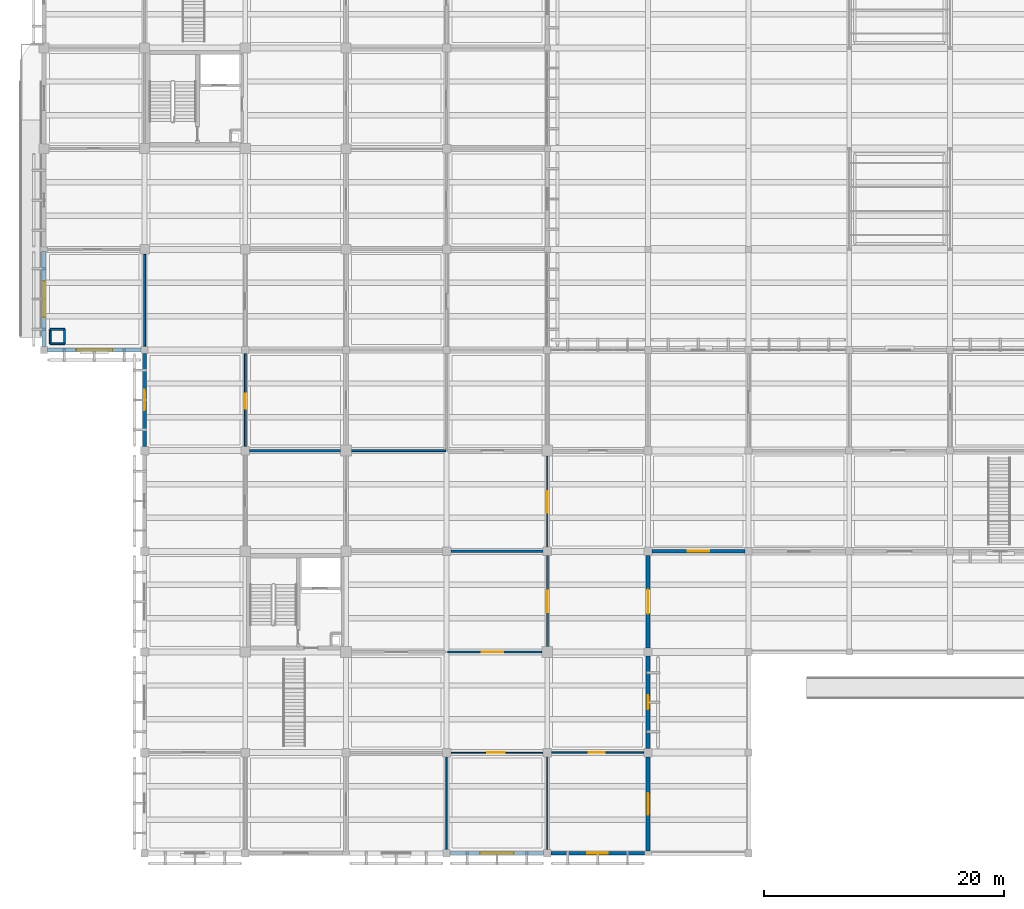
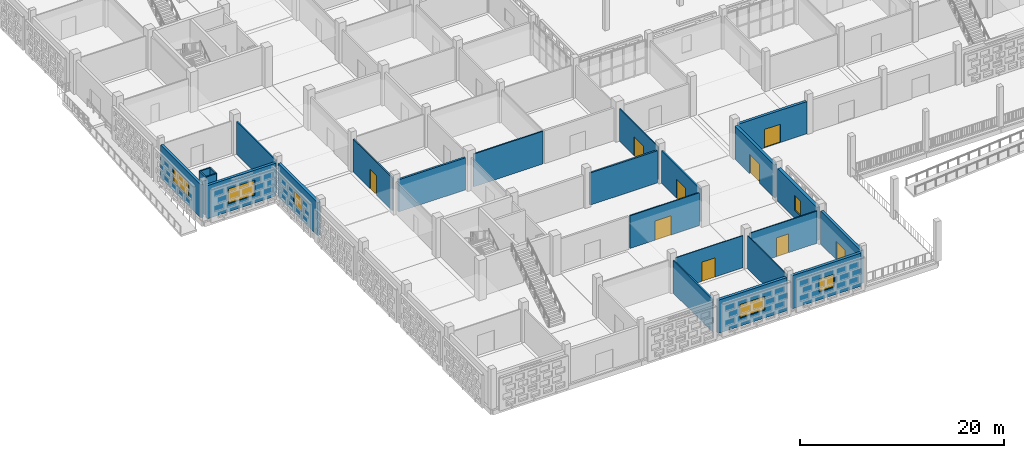
# One storey, part 58 of 129: 25 walls, 9 doors, 6 windows, 15 openings.
"""IFC4 building model written with IfcOpenShell, lengths in metres."""

from ifc_helpers import new_model, si_unit, direction, frame, frame_2d, origin, place, context, subcontext, project, spatial, rectangle, extrude, material, layer, layer_set, type_object, element, fill, save


model = new_model("IFC4")

# Units and contexts
model_context = context("Model", 3, precision=1e-05, world=origin(), true_north=direction((0.0, 1.0)))
body_context = subcontext(model_context, "Body", "Model", "MODEL_VIEW")
ifc_project = project(units=[si_unit("LENGTHUNIT", "METRE"), si_unit("AREAUNIT", "SQUARE_METRE"), si_unit("VOLUMEUNIT", "CUBIC_METRE"), si_unit("PLANEANGLEUNIT", "RADIAN"), si_unit("MASSUNIT", "GRAM", prefix="KILO")], contexts=[model_context])

# Site, building, storey
site_placement = place(None, origin())
site = spatial("IfcSite", under=ifc_project, at=site_placement, CompositionType="ELEMENT")
building_placement = place(site_placement, origin())
building = spatial("IfcBuilding", under=site, at=building_placement, Name="Varnapada Polytechnic", CompositionType="ELEMENT")
storey_placement = place(building_placement, origin())
storey = spatial("IfcBuildingStorey", under=building, at=storey_placement, Name="L00", CompositionType="ELEMENT", Elevation=0.0)

# Walls
ifc_material_1 = material(Name="Autoclaved Aerated Concrete Block AAC-600", Category="concrete")
ifc_layer_1 = layer(ifc_material_1, 0.14990234375)
ifc_layer_set_1 = layer_set([ifc_layer_1], Name="Autoclaved Aerated Concrete Block AAC-600")
wall_type_1 = type_object("IfcWallType", Name="Interior Wall IW-02", PredefinedType="PARTITIONING", material=ifc_layer_set_1)
for number, where, z_axis, x_axis, name in (
    (1, (0.52001953125, 42.52001953125, 0.0), (0.0, 0.0, 1.0), (1.0, 0.0, 0.0), "L00 enclosed service riser wall (1,6) S"),
    (2, (1.719970703125, 42.52001953125, 0.0), (0.0, 0.0, 1.0), (0.0, 1.0, 0.0), "L00 enclosed service riser wall (1,6) E"),
    (3, (1.719970703125, 43.719970703125, 0.0), (0.0, 0.0, 1.0), (-1.0, 0.0, 0.0), "L00 enclosed service riser wall (1,6) N"),
    (4, (0.52001953125, 43.719970703125, 0.0), (0.0, 0.0, 1.0), (0.0, -1.0, 0.0), "L00 enclosed service riser wall (1,6) W"),
):
    element("IfcWall", number, at=place(storey_placement, frame(where, z_axis=z_axis, x_axis=x_axis)), inside=storey, type_object=wall_type_1, Name=name, PredefinedType="PARTITIONING", context=body_context, shape_type="SweptSolid", body=[
        extrude(rectangle(XDim=1.199951171875, YDim=0.14990234375, at=frame_2d((0.60009765625, 0.0))), origin(), (0.0, 0.0, 1.0), 4.550048828125),
    ])
wall_1_placement = place(storey_placement, frame((8.39990234375, 42.320068359375, 0.0), z_axis=(0.0, 0.0, 1.0), x_axis=(0.0, 1.0, 0.0)))
element("IfcWall", 5, at=wall_1_placement, inside=storey, type_object=wall_type_1, Name="L00 interior partition IW-L00-00-05-V", PredefinedType="PARTITIONING", context=body_context, shape_type="SweptSolid", body=[
    extrude(rectangle(XDim=7.659912109375, YDim=0.14990234375, at=frame_2d((3.830078125, 0.0))), origin(), (0.0, 0.0, 1.0), 3.919921875),
])
wall_2_placement = place(storey_placement, frame((25.669921875, 33.60009765625, 0.0), z_axis=(0.0, 0.0, 1.0), x_axis=(1.0, 0.0, 0.0)))
element("IfcWall", 6, at=wall_2_placement, inside=storey, type_object=wall_type_1, Name="L00 interior partition IW-L00-03-03-H", PredefinedType="PARTITIONING", context=body_context, shape_type="SweptSolid", body=[
    extrude(rectangle(XDim=7.844970703125, YDim=0.14990234375, at=frame_2d((3.92236328125, 0.0))), origin(), (0.0, 0.0, 1.0), 3.919921875),
])

# Wall, opening, door
ifc_material_2 = material(Name="Cross-laminated timber CLT C24", Category="wood")
ifc_layer_2 = layer(ifc_material_2, 0.159912109375)
ifc_layer_set_2 = layer_set([ifc_layer_2], Name="Cross-laminated timber CLT C24")
wall_type_2 = type_object("IfcWallType", Name="Interior Wall IW-05", PredefinedType="PARTITIONING", material=ifc_layer_set_2)
wall_3_placement = place(storey_placement, frame((16.800048828125, 33.969970703125, 0.0), z_axis=(0.0, 0.0, 1.0), x_axis=(0.0, 1.0, 0.0)))
wall_3 = element("IfcWall", 7, at=wall_3_placement, inside=storey, type_object=wall_type_2, Name="L00 interior partition IW-L00-01-04-V", PredefinedType="PARTITIONING", context=body_context, shape_type="SweptSolid", body=[
    extrude(rectangle(XDim=7.7099609375, YDim=0.159912109375, at=frame_2d((3.85498046875, 0.0))), origin(), (0.0, 0.0, 1.0), 3.919921875),
])
opening_1_placement = place(wall_3_placement, frame((3.125, 0.0, 0.0)))
opening_1 = element("IfcOpeningElement", 8, at=opening_1_placement, cuts=wall_3, Name="Opening D-830", PredefinedType="OPENING", context=body_context, shape_type="SweptSolid", body=[
    extrude(rectangle(XDim=1.25, YDim=2.300048828125, at=frame_2d((0.625, 1.14990234375))), frame((0.0, 0.08984375, 0.0), z_axis=(0.0, -1.0, 0.0), x_axis=(1.0, 0.0, 0.0)), (0.0, 0.0, 1.0), 0.179931640625),
])
ifc_material_3 = material(Name="Solid Teak Hardwood Timber", Category="wood")
door_type_1 = type_object("IfcDoorType", Name="Interior Door ID-16", OperationType="NOTDEFINED", PredefinedType="DOOR", material=ifc_material_3)
door_1_placement = place(opening_1_placement, frame((1.25, 0.0, 0.0), z_axis=(0.0, 0.0, 1.0), x_axis=(-1.0, 0.0, 0.0)))
door_1 = element("IfcDoor", 9, at=door_1_placement, inside=storey, type_object=door_type_1, Name="L00 interior room door D-830", OperationType="SINGLE_SWING_LEFT", OverallHeight=2.300048828125, OverallWidth=1.25, PredefinedType="DOOR", context=body_context, shape_type="SweptSolid", body=[
    extrude(rectangle(XDim=1.25, YDim=2.300048828125, at=frame_2d((0.625, 1.14990234375))), frame((0.0, 0.02490234375, 0.0), z_axis=(0.0, -1.0, 0.0), x_axis=(1.0, 0.0, 0.0)), (0.0, 0.0, 1.0), 0.050048828125),
])
fill(opening_1, door_1)

# Wall
ifc_material_4 = material(Name="Glazed Timber-Framed Studio Screen", Category="wood")
ifc_layer_3 = layer(ifc_material_4, 0.110107421875)
ifc_layer_set_3 = layer_set([ifc_layer_3], Name="Glazed Timber-Framed Studio Screen")
wall_type_3 = type_object("IfcWallType", Name="Interior Wall IW-07", PredefinedType="PARTITIONING", material=ifc_layer_set_3)
wall_4_placement = place(storey_placement, frame((42.0, 0.320068359375, 0.0), z_axis=(0.0, 0.0, 1.0), x_axis=(0.0, 1.0, 0.0)))
element("IfcWall", 10, at=wall_4_placement, inside=storey, type_object=wall_type_3, Name="L00 interior partition IW-L00-04-00-V", PredefinedType="PARTITIONING", context=body_context, shape_type="SweptSolid", body=[
    extrude(rectangle(XDim=7.7099609375, YDim=0.110107421875, at=frame_2d((3.85498046875, 0.0))), origin(), (0.0, 0.0, 1.0), 3.919921875),
])

# Wall, opening, door
ifc_material_5 = material(Name="Operable Acoustic Seminar Partition")
ifc_layer_4 = layer(ifc_material_5, 0.10009765625)
ifc_layer_set_4 = layer_set([ifc_layer_4], Name="Operable Acoustic Seminar Partition")
wall_type_4 = type_object("IfcWallType", Name="Interior Wall IW-08", PredefinedType="MOVABLE", material=ifc_layer_set_4)
wall_5_placement = place(storey_placement, frame((33.969970703125, 8.39990234375, 0.0), z_axis=(0.0, 0.0, 1.0), x_axis=(1.0, 0.0, 0.0)))
wall_5 = element("IfcWall", 11, at=wall_5_placement, inside=storey, type_object=wall_type_4, Name="L00 interior partition IW-L00-04-00-H", PredefinedType="MOVABLE", context=body_context, shape_type="SweptSolid", body=[
    extrude(rectangle(XDim=7.659912109375, YDim=0.10009765625, at=frame_2d((3.830078125, 0.0))), origin(), (0.0, 0.0, 1.0), 3.860107421875),
])
opening_2_placement = place(wall_5_placement, frame((3.0, 0.0, 0.0)))
opening_2 = element("IfcOpeningElement", 12, at=opening_2_placement, cuts=wall_5, Name="Opening D-855", PredefinedType="OPENING", context=body_context, shape_type="SweptSolid", body=[
    extrude(rectangle(XDim=1.5, YDim=2.300048828125, at=frame_2d((0.75, 1.14990234375))), frame((0.0, 0.06005859375, 0.0), z_axis=(0.0, -1.0, 0.0), x_axis=(1.0, 0.0, 0.0)), (0.0, 0.0, 1.0), 0.1201171875),
])
ifc_material_6 = material(Name="Galvanized Steel Z275", Category="steel")
door_type_2 = type_object("IfcDoorType", Name="Interior Door ID-07", OperationType="NOTDEFINED", PredefinedType="DOOR", material=ifc_material_6)
door_2_placement = place(opening_2_placement, origin())
door_2 = element("IfcDoor", 13, at=door_2_placement, inside=storey, type_object=door_type_2, Name="L00 interior room door D-855", OperationType="SINGLE_SWING_RIGHT", OverallHeight=2.300048828125, OverallWidth=1.5, PredefinedType="DOOR", context=body_context, shape_type="SweptSolid", body=[
    extrude(rectangle(XDim=1.5, YDim=2.300048828125, at=frame_2d((0.75, 1.14990234375))), frame((0.0, 0.02490234375, 0.0), z_axis=(0.0, -1.0, 0.0), x_axis=(1.0, 0.0, 0.0)), (0.0, 0.0, 1.0), 0.050048828125),
])
fill(opening_2, door_2)

ifc_material_7 = material(Name="Calcium Silicate Acoustic Lab Partition")
ifc_layer_5 = layer(ifc_material_7, 0.135009765625)
ifc_layer_set_5 = layer_set([ifc_layer_5], Name="Calcium Silicate Acoustic Lab Partition")
wall_type_5 = type_object("IfcWallType", Name="Interior Wall IW-09", PredefinedType="PARTITIONING", material=ifc_layer_set_5)
wall_6_placement = place(storey_placement, frame((33.68505859375, 16.800048828125, 0.0), z_axis=(0.0, 0.0, 1.0), x_axis=(1.0, 0.0, 0.0)))
wall_6 = element("IfcWall", 14, at=wall_6_placement, inside=storey, type_object=wall_type_5, Name="L00 interior partition IW-L00-04-01-H", PredefinedType="PARTITIONING", context=body_context, shape_type="SweptSolid", body=[
    extrude(rectangle(XDim=7.844970703125, YDim=0.135009765625, at=frame_2d((3.92236328125, 0.0))), origin(), (0.0, 0.0, 1.0), 3.919921875),
])
opening_3_placement = place(wall_6_placement, frame((2.85009765625, 0.0, 0.0)))
opening_3 = element("IfcOpeningElement", 15, at=opening_3_placement, cuts=wall_6, Name="Opening D-856", PredefinedType="OPENING", context=body_context, shape_type="SweptSolid", body=[
    extrude(rectangle(XDim=1.800048828125, YDim=2.300048828125, at=frame_2d((0.89990234375, 1.14990234375))), frame((0.0, 0.077392578125, 0.0), z_axis=(0.0, -1.0, 0.0), x_axis=(1.0, 0.0, 0.0)), (0.0, 0.0, 1.0), 0.155029296875),
])
ifc_material_8 = material(Name="Acoustic Double Timber Leaf", Category="wood")
door_type_3 = type_object("IfcDoorType", Name="Interior Door ID-04", OperationType="NOTDEFINED", PredefinedType="DOOR", material=ifc_material_8)
door_3_placement = place(opening_3_placement, origin())
door_3 = element("IfcDoor", 16, at=door_3_placement, inside=storey, type_object=door_type_3, Name="L00 interior room door D-856", OperationType="SINGLE_SWING_LEFT", OverallHeight=2.300048828125, OverallWidth=1.800048828125, PredefinedType="DOOR", context=body_context, shape_type="SweptSolid", body=[
    extrude(rectangle(XDim=1.800048828125, YDim=2.300048828125, at=frame_2d((0.89990234375, 1.14990234375))), frame((0.0, 0.02490234375, 0.0), z_axis=(0.0, -1.0, 0.0), x_axis=(1.0, 0.0, 0.0)), (0.0, 0.0, 1.0), 0.050048828125),
])
fill(opening_3, door_3)

ifc_material_9 = material(Name="Double-Layer Fireboard Workshop Wall")
ifc_layer_6 = layer(ifc_material_9, 0.169921875)
ifc_layer_set_6 = layer_set([ifc_layer_6], Name="Double-Layer Fireboard Workshop Wall")
wall_type_6 = type_object("IfcWallType", Name="Interior Wall IW-10", PredefinedType="PARTITIONING", material=ifc_layer_set_6)
wall_7_placement = place(storey_placement, frame((42.0, 17.27001953125, 0.0), z_axis=(0.0, 0.0, 1.0), x_axis=(0.0, 1.0, 0.0)))
wall_7 = element("IfcWall", 17, at=wall_7_placement, inside=storey, type_object=wall_type_6, Name="L00 interior partition IW-L00-04-02-V", PredefinedType="PARTITIONING", context=body_context, shape_type="SweptSolid", body=[
    extrude(rectangle(XDim=7.56005859375, YDim=0.169921875, at=frame_2d((3.780029296875, 0.0))), origin(), (0.0, 0.0, 1.0), 3.919921875),
])
opening_4_placement = place(wall_7_placement, frame((2.85009765625, 0.0, 0.0)))
opening_4 = element("IfcOpeningElement", 18, at=opening_4_placement, cuts=wall_7, Name="Opening D-857", PredefinedType="OPENING", context=body_context, shape_type="SweptSolid", body=[
    extrude(rectangle(XDim=1.800048828125, YDim=2.300048828125, at=frame_2d((0.89990234375, 1.14990234375))), frame((0.0, 0.094970703125, 0.0), z_axis=(0.0, -1.0, 0.0), x_axis=(1.0, 0.0, 0.0)), (0.0, 0.0, 1.0), 0.18994140625),
])
door_4_placement = place(opening_4_placement, frame((1.800048828125, 0.0, 0.0), z_axis=(0.0, 0.0, 1.0), x_axis=(-1.0, 0.0, 0.0)))
door_4 = element("IfcDoor", 19, at=door_4_placement, inside=storey, type_object=door_type_3, Name="L00 interior room door D-857", OperationType="SINGLE_SWING_RIGHT", OverallHeight=2.300048828125, OverallWidth=1.800048828125, PredefinedType="DOOR", context=body_context, shape_type="SweptSolid", body=[
    extrude(rectangle(XDim=1.800048828125, YDim=2.300048828125, at=frame_2d((0.89990234375, 1.14990234375))), frame((0.0, 0.02490234375, 0.0), z_axis=(0.0, -1.0, 0.0), x_axis=(1.0, 0.0, 0.0)), (0.0, 0.0, 1.0), 0.050048828125),
])
fill(opening_4, door_4)

# Wall
ifc_material_10 = material(Name="Insulated Masonry Plant Room Wall", Category="masonry")
ifc_layer_7 = layer(ifc_material_10, 0.18994140625)
ifc_layer_set_7 = layer_set([ifc_layer_7], Name="Insulated Masonry Plant Room Wall")
wall_type_7 = type_object("IfcWallType", Name="Interior Wall IW-11", PredefinedType="PARTITIONING", material=ifc_layer_set_7)
wall_8_placement = place(storey_placement, frame((33.969970703125, 25.199951171875, 0.0), z_axis=(0.0, 0.0, 1.0), x_axis=(1.0, 0.0, 0.0)))
element("IfcWall", 20, at=wall_8_placement, inside=storey, type_object=wall_type_7, Name="L00 interior partition IW-L00-04-02-H", PredefinedType="PARTITIONING", context=body_context, shape_type="SweptSolid", body=[
    extrude(rectangle(XDim=7.659912109375, YDim=0.18994140625, at=frame_2d((3.830078125, 0.0))), origin(), (0.0, 0.0, 1.0), 3.85009765625),
])

# Wall, opening, door
ifc_material_11 = material(Name="Timber-Stud Studio Critique Partition", Category="wood")
ifc_layer_8 = layer(ifc_material_11, 0.114990234375)
ifc_layer_set_8 = layer_set([ifc_layer_8], Name="Timber-Stud Studio Critique Partition")
wall_type_8 = type_object("IfcWallType", Name="Interior Wall IW-12", PredefinedType="PARTITIONING", material=ifc_layer_set_8)
wall_9_placement = place(storey_placement, frame((42.0, 25.570068359375, 0.0), z_axis=(0.0, 0.0, 1.0), x_axis=(0.0, 1.0, 0.0)))
wall_9 = element("IfcWall", 21, at=wall_9_placement, inside=storey, type_object=wall_type_8, Name="L00 interior partition IW-L00-04-03-V", PredefinedType="PARTITIONING", context=body_context, shape_type="SweptSolid", body=[
    extrude(rectangle(XDim=7.559814453125, YDim=0.114990234375, at=frame_2d((3.77978515625, 0.0))), origin(), (0.0, 0.0, 1.0), 3.919921875),
])
opening_5_placement = place(wall_9_placement, frame((2.85009765625, 0.0, 0.0)))
opening_5 = element("IfcOpeningElement", 22, at=opening_5_placement, cuts=wall_9, Name="Opening D-858", PredefinedType="OPENING", context=body_context, shape_type="SweptSolid", body=[
    extrude(rectangle(XDim=1.800048828125, YDim=2.300048828125, at=frame_2d((0.89990234375, 1.14990234375))), frame((0.0, 0.0673828125, 0.0), z_axis=(0.0, -1.0, 0.0), x_axis=(1.0, 0.0, 0.0)), (0.0, 0.0, 1.0), 0.135009765625),
])
door_5_placement = place(opening_5_placement, origin())
door_5 = element("IfcDoor", 23, at=door_5_placement, inside=storey, type_object=door_type_3, Name="L00 interior room door D-858", OperationType="SINGLE_SWING_LEFT", OverallHeight=2.300048828125, OverallWidth=1.800048828125, PredefinedType="DOOR", context=body_context, shape_type="SweptSolid", body=[
    extrude(rectangle(XDim=1.800048828125, YDim=2.300048828125, at=frame_2d((0.89990234375, 1.14990234375))), frame((0.0, 0.02490234375, 0.0), z_axis=(0.0, -1.0, 0.0), x_axis=(1.0, 0.0, 0.0)), (0.0, 0.0, 1.0), 0.050048828125),
])
fill(opening_5, door_5)

wall_10_placement = place(storey_placement, frame((42.3701171875, 8.39990234375, 0.0), z_axis=(0.0, 0.0, 1.0), x_axis=(1.0, 0.0, 0.0)))
wall_10 = element("IfcWall", 24, at=wall_10_placement, inside=storey, type_object=wall_type_8, Name="L00 interior partition IW-L00-05-00-H", PredefinedType="PARTITIONING", context=body_context, shape_type="SweptSolid", body=[
    extrude(rectangle(XDim=7.659912109375, YDim=0.114990234375, at=frame_2d((3.830078125, 0.0))), origin(), (0.0, 0.0, 1.0), 3.860107421875),
])
opening_6_placement = place(wall_10_placement, frame((3.074951171875, 0.0, 0.0)))
opening_6 = element("IfcOpeningElement", 25, at=opening_6_placement, cuts=wall_10, Name="Opening D-865", PredefinedType="OPENING", context=body_context, shape_type="SweptSolid", body=[
    extrude(rectangle(XDim=1.35009765625, YDim=2.25, at=frame_2d((0.675048828125, 1.125))), frame((0.0, 0.0673828125, 0.0), z_axis=(0.0, -1.0, 0.0), x_axis=(1.0, 0.0, 0.0)), (0.0, 0.0, 1.0), 0.135009765625),
])
ifc_material_12 = material(Name="Powder-Coated Aluminium 6063-T6", Category="aluminium")
door_type_4 = type_object("IfcDoorType", Name="Interior Door ID-17", OperationType="NOTDEFINED", PredefinedType="DOOR", material=ifc_material_12)
door_6_placement = place(opening_6_placement, origin())
door_6 = element("IfcDoor", 26, at=door_6_placement, inside=storey, type_object=door_type_4, Name="L00 interior room door D-865", OperationType="SINGLE_SWING_RIGHT", OverallHeight=2.25, OverallWidth=1.35009765625, PredefinedType="DOOR", context=body_context, shape_type="SweptSolid", body=[
    extrude(rectangle(XDim=1.35009765625, YDim=2.25, at=frame_2d((0.675048828125, 1.125))), frame((0.0, 0.02490234375, 0.0), z_axis=(0.0, -1.0, 0.0), x_axis=(1.0, 0.0, 0.0)), (0.0, 0.0, 1.0), 0.050048828125),
])
fill(opening_6, door_6)

# Walls
ifc_material_13 = material(Name="Heavy Acoustic Auditorium Baffle Wall")
ifc_layer_9 = layer(ifc_material_13, 0.219970703125)
ifc_layer_set_9 = layer_set([ifc_layer_9], Name="Heavy Acoustic Auditorium Baffle Wall")
wall_type_9 = type_object("IfcWallType", Name="Interior Wall IW-13", PredefinedType="PARTITIONING", material=ifc_layer_set_9)
wall_11_placement = place(storey_placement, frame((17.169921875, 33.60009765625, 0.0), z_axis=(0.0, 0.0, 1.0), x_axis=(1.0, 0.0, 0.0)))
element("IfcWall", 27, at=wall_11_placement, inside=storey, type_object=wall_type_9, Name="L00 interior partition IW-L00-02-03-H", PredefinedType="PARTITIONING", context=body_context, shape_type="SweptSolid", body=[
    extrude(rectangle(XDim=7.56005859375, YDim=0.219970703125, at=frame_2d((3.780029296875, 0.0))), origin(), (0.0, 0.0, 1.0), 3.85009765625),
])
ifc_material_14 = material(Name="Ceramic-Tiled Wet Laboratory Wall")
ifc_layer_10 = layer(ifc_material_14, 0.14501953125)
ifc_layer_set_10 = layer_set([ifc_layer_10], Name="Ceramic-Tiled Wet Laboratory Wall")
wall_type_10 = type_object("IfcWallType", Name="Interior Wall IW-14", PredefinedType="PARTITIONING", material=ifc_layer_set_10)
wall_12_placement = place(storey_placement, frame((33.60009765625, 0.320068359375, 0.0), z_axis=(0.0, 0.0, 1.0), x_axis=(0.0, 1.0, 0.0)))
element("IfcWall", 28, at=wall_12_placement, inside=storey, type_object=wall_type_10, Name="L00 interior partition IW-L00-03-00-V", PredefinedType="PARTITIONING", context=body_context, shape_type="SweptSolid", body=[
    extrude(rectangle(XDim=7.7099609375, YDim=0.14501953125, at=frame_2d((3.85498046875, 0.0))), origin(), (0.0, 0.0, 1.0), 3.919921875),
])

# Wall, opening, window
ifc_material_15 = material(Name="Precast concrete C40/50", Category="concrete")
ifc_layer_11 = layer(ifc_material_15, 0.300048828125)
ifc_layer_set_11 = layer_set([ifc_layer_11], Name="Precast concrete C40/50")
wall_type_11 = type_object("IfcWallType", Name="Wall EW-01", PredefinedType="SOLIDWALL", material=ifc_layer_set_11)
wall_13_placement = place(storey_placement, frame((8.10009765625, 42.0, 0.0), z_axis=(0.0, 0.0, 1.0), x_axis=(-1.0, 0.0, 0.0)))
wall_13 = element("IfcWall", 29, at=wall_13_placement, inside=storey, type_object=wall_type_11, Name="L00 exterior wall EW-01 (1)", PredefinedType="SOLIDWALL", context=body_context, shape_type="SweptSolid", body=[
    extrude(rectangle(XDim=7.800048828125, YDim=0.300048828125, at=frame_2d((3.89990234375, 0.0))), origin(), (0.0, 0.0, 1.0), 3.9599609375),
])
opening_7_placement = place(wall_13_placement, frame((2.39990234375, 0.0, 0.949951171875)))
opening_7 = element("IfcOpeningElement", 30, at=opening_7_placement, cuts=wall_13, Name="Opening WN-14", PredefinedType="OPENING", context=body_context, shape_type="SweptSolid", body=[
    extrude(rectangle(XDim=3.0, YDim=1.800048828125, at=frame_2d((1.5, 0.89990234375))), frame((0.0, 0.159912109375, 0.0), z_axis=(0.0, -1.0, 0.0), x_axis=(1.0, 0.0, 0.0)), (0.0, 0.0, 1.0), 0.320068359375),
])
ifc_material_16 = material(Name="Double low-E laminated glass", Category="glass")
window_type_1 = type_object("IfcWindowType", Name="Window WN-14", PartitioningType="SINGLE_PANEL", PredefinedType="WINDOW", material=ifc_material_16)
window_1_placement = place(opening_7_placement, origin())
window_1 = element("IfcWindow", 31, at=window_1_placement, inside=storey, type_object=window_type_1, Name="L00 window WN-14 (1)", OverallHeight=1.800048828125, OverallWidth=3.0, PartitioningType="SINGLE_PANEL", PredefinedType="WINDOW", context=body_context, shape_type="SweptSolid", body=[
    extrude(rectangle(XDim=3.0, YDim=1.800048828125, at=frame_2d((1.5, 0.89990234375))), frame((0.0, 0.030029296875, 0.0), z_axis=(0.0, -1.0, 0.0), x_axis=(1.0, 0.0, 0.0)), (0.0, 0.0, 1.0), 0.06005859375),
])
fill(opening_7, window_1)

wall_14_placement = place(storey_placement, frame((0.0, 42.300048828125, 0.0), z_axis=(0.0, 0.0, 1.0), x_axis=(0.0, 1.0, 0.0)))
wall_14 = element("IfcWall", 32, at=wall_14_placement, inside=storey, type_object=wall_type_11, Name="L00 exterior wall EW-01 (2)", PredefinedType="SOLIDWALL", context=body_context, shape_type="SweptSolid", body=[
    extrude(rectangle(XDim=7.89990234375, YDim=0.300048828125, at=frame_2d((3.949951171875, 0.0))), origin(), (0.0, 0.0, 1.0), 3.9599609375),
])
opening_8_placement = place(wall_14_placement, frame((2.449951171875, 0.0, 0.949951171875)))
opening_8 = element("IfcOpeningElement", 33, at=opening_8_placement, cuts=wall_14, Name="Opening WN-14", PredefinedType="OPENING", context=body_context, shape_type="SweptSolid", body=[
    extrude(rectangle(XDim=3.0, YDim=1.800048828125, at=frame_2d((1.5, 0.89990234375))), frame((0.0, 0.159912109375, 0.0), z_axis=(0.0, -1.0, 0.0), x_axis=(1.0, 0.0, 0.0)), (0.0, 0.0, 1.0), 0.320068359375),
])
window_2_placement = place(opening_8_placement, origin())
window_2 = element("IfcWindow", 34, at=window_2_placement, inside=storey, type_object=window_type_1, Name="L00 window WN-14 (2)", OverallHeight=1.800048828125, OverallWidth=3.0, PartitioningType="SINGLE_PANEL", PredefinedType="WINDOW", context=body_context, shape_type="SweptSolid", body=[
    extrude(rectangle(XDim=3.0, YDim=1.800048828125, at=frame_2d((1.5, 0.89990234375))), frame((0.0, 0.030029296875, 0.0), z_axis=(0.0, -1.0, 0.0), x_axis=(1.0, 0.0, 0.0)), (0.0, 0.0, 1.0), 0.06005859375),
])
fill(opening_8, window_2)

# Wall, opening, door
wall_15_placement = place(storey_placement, frame((58.5, 25.199951171875, 0.0), z_axis=(0.0, 0.0, 1.0), x_axis=(-1.0, 0.0, 0.0)))
wall_15 = element("IfcWall", 35, at=wall_15_placement, inside=storey, type_object=wall_type_11, Name="L00 exterior wall EW-01 (39)", PredefinedType="SOLIDWALL", context=body_context, shape_type="SweptSolid", body=[
    extrude(rectangle(XDim=7.75, YDim=0.300048828125, at=frame_2d((3.875, 0.0))), origin(), (0.0, 0.0, 1.0), 3.860107421875),
])
opening_9_placement = place(wall_15_placement, frame((2.97509765625, 0.0, 0.0)))
opening_9 = element("IfcOpeningElement", 36, at=opening_9_placement, cuts=wall_15, Name="Opening D-007", PredefinedType="OPENING", context=body_context, shape_type="SweptSolid", body=[
    extrude(rectangle(XDim=1.800048828125, YDim=2.199951171875, at=frame_2d((0.89990234375, 1.10009765625))), frame((0.0, 0.159912109375, 0.0), z_axis=(0.0, -1.0, 0.0), x_axis=(1.0, 0.0, 0.0)), (0.0, 0.0, 1.0), 0.320068359375),
])
ifc_material_17 = material(Name="Painted galvanized steel", Category="steel")
door_type_5 = type_object("IfcDoorType", Name="Exterior Door ED-02", OperationType="DOUBLE_DOOR_SINGLE_SWING", PredefinedType="DOOR", material=ifc_material_17)
door_7_placement = place(opening_9_placement, origin())
door_7 = element("IfcDoor", 37, at=door_7_placement, inside=storey, type_object=door_type_5, Name="L00 final pedestrian exit door D-007", OperationType="DOUBLE_DOOR_SINGLE_SWING", OverallHeight=2.199951171875, OverallWidth=1.800048828125, PredefinedType="DOOR", context=body_context, shape_type="SweptSolid", body=[
    extrude(rectangle(XDim=1.800048828125, YDim=2.199951171875, at=frame_2d((0.89990234375, 1.10009765625))), frame((0.0, 0.02490234375, 0.0), z_axis=(0.0, -1.0, 0.0), x_axis=(1.0, 0.0, 0.0)), (0.0, 0.0, 1.0), 0.050048828125),
])
fill(opening_9, door_7)

# Wall, opening, window
ifc_layer_12 = layer(ifc_material_15, 0.320068359375)
ifc_layer_set_12 = layer_set([ifc_layer_12], Name="Precast concrete C40/50")
wall_type_12 = type_object("IfcWallType", Name="Wall EW-04", PredefinedType="SOLIDWALL", material=ifc_layer_set_12)
wall_16_placement = place(storey_placement, frame((8.39990234375, 33.949951171875, 0.0), z_axis=(0.0, 0.0, 1.0), x_axis=(0.0, 1.0, 0.0)))
wall_16 = element("IfcWall", 38, at=wall_16_placement, inside=storey, type_object=wall_type_12, Name="L00 exterior wall EW-04 (18)", PredefinedType="SOLIDWALL", context=body_context, shape_type="SweptSolid", body=[
    extrude(rectangle(XDim=7.75, YDim=0.320068359375, at=frame_2d((3.875, 0.0))), origin(), (0.0, 0.0, 1.0), 3.9599609375),
])
opening_10_placement = place(wall_16_placement, frame((3.02490234375, 0.0, 0.949951171875)))
opening_10 = element("IfcOpeningElement", 39, at=opening_10_placement, cuts=wall_16, Name="Opening WN-16", PredefinedType="OPENING", context=body_context, shape_type="SweptSolid", body=[
    extrude(rectangle(XDim=1.699951171875, YDim=1.550048828125, at=frame_2d((0.85009765625, 0.77490234375))), frame((0.0, 0.169921875, 0.0), z_axis=(0.0, -1.0, 0.0), x_axis=(1.0, 0.0, 0.0)), (0.0, 0.0, 1.0), 0.340087890625),
])
window_type_2 = type_object("IfcWindowType", Name="Window WN-16", PartitioningType="SINGLE_PANEL", PredefinedType="WINDOW", material=ifc_material_16)
window_3_placement = place(opening_10_placement, origin())
window_3 = element("IfcWindow", 40, at=window_3_placement, inside=storey, type_object=window_type_2, Name="L00 window WN-16 (14)", OverallHeight=1.550048828125, OverallWidth=1.699951171875, PartitioningType="SINGLE_PANEL", PredefinedType="WINDOW", context=body_context, shape_type="SweptSolid", body=[
    extrude(rectangle(XDim=1.699951171875, YDim=1.550048828125, at=frame_2d((0.85009765625, 0.77490234375))), frame((0.0, 0.030029296875, 0.0), z_axis=(0.0, -1.0, 0.0), x_axis=(1.0, 0.0, 0.0)), (0.0, 0.0, 1.0), 0.06005859375),
])
fill(opening_10, window_3)

wall_17_placement = place(storey_placement, frame((41.699951171875, 0.0, 0.0), z_axis=(0.0, 0.0, 1.0), x_axis=(-1.0, 0.0, 0.0)))
wall_17 = element("IfcWall", 41, at=wall_17_placement, inside=storey, type_object=wall_type_12, Name="L00 exterior wall EW-04 (24)", PredefinedType="SOLIDWALL", context=body_context, shape_type="SweptSolid", body=[
    extrude(rectangle(XDim=7.800048828125, YDim=0.320068359375, at=frame_2d((3.89990234375, 0.0))), origin(), (0.0, 0.0, 1.0), 3.9599609375),
])
opening_11_placement = place(wall_17_placement, frame((2.5, 0.0, 0.949951171875)))
opening_11 = element("IfcOpeningElement", 42, at=opening_11_placement, cuts=wall_17, Name="Opening WN-13", PredefinedType="OPENING", context=body_context, shape_type="SweptSolid", body=[
    extrude(rectangle(XDim=2.800048828125, YDim=1.64990234375, at=frame_2d((1.39990234375, 0.824951171875))), frame((0.0, 0.169921875, 0.0), z_axis=(0.0, -1.0, 0.0), x_axis=(1.0, 0.0, 0.0)), (0.0, 0.0, 1.0), 0.340087890625),
])
window_type_3 = type_object("IfcWindowType", Name="Window WN-13", PartitioningType="SINGLE_PANEL", PredefinedType="WINDOW", material=ifc_material_16)
window_4_placement = place(opening_11_placement, origin())
window_4 = element("IfcWindow", 43, at=window_4_placement, inside=storey, type_object=window_type_3, Name="L00 window WN-13 (19)", OverallHeight=1.64990234375, OverallWidth=2.800048828125, PartitioningType="SINGLE_PANEL", PredefinedType="WINDOW", context=body_context, shape_type="SweptSolid", body=[
    extrude(rectangle(XDim=2.800048828125, YDim=1.64990234375, at=frame_2d((1.39990234375, 0.824951171875))), frame((0.0, 0.030029296875, 0.0), z_axis=(0.0, -1.0, 0.0), x_axis=(1.0, 0.0, 0.0)), (0.0, 0.0, 1.0), 0.06005859375),
])
fill(opening_11, window_4)

wall_18_placement = place(storey_placement, frame((50.10009765625, 0.0, 0.0), z_axis=(0.0, 0.0, 1.0), x_axis=(-1.0, 0.0, 0.0)))
wall_18 = element("IfcWall", 44, at=wall_18_placement, inside=storey, type_object=wall_type_12, Name="L00 exterior wall EW-04 (32)", PredefinedType="SOLIDWALL", context=body_context, shape_type="SweptSolid", body=[
    extrude(rectangle(XDim=7.800048828125, YDim=0.320068359375, at=frame_2d((3.89990234375, 0.0))), origin(), (0.0, 0.0, 1.0), 3.9599609375),
])
opening_12_placement = place(wall_18_placement, frame((3.050048828125, 0.0, 0.949951171875)))
opening_12 = element("IfcOpeningElement", 45, at=opening_12_placement, cuts=wall_18, Name="Opening WN-16", PredefinedType="OPENING", context=body_context, shape_type="SweptSolid", body=[
    extrude(rectangle(XDim=1.699951171875, YDim=1.550048828125, at=frame_2d((0.85009765625, 0.77490234375))), frame((0.0, 0.169921875, 0.0), z_axis=(0.0, -1.0, 0.0), x_axis=(1.0, 0.0, 0.0)), (0.0, 0.0, 1.0), 0.340087890625),
])
window_5_placement = place(opening_12_placement, origin())
window_5 = element("IfcWindow", 46, at=window_5_placement, inside=storey, type_object=window_type_2, Name="L00 window WN-16 (24)", OverallHeight=1.550048828125, OverallWidth=1.699951171875, PartitioningType="SINGLE_PANEL", PredefinedType="WINDOW", context=body_context, shape_type="SweptSolid", body=[
    extrude(rectangle(XDim=1.699951171875, YDim=1.550048828125, at=frame_2d((0.85009765625, 0.77490234375))), frame((0.0, 0.030029296875, 0.0), z_axis=(0.0, -1.0, 0.0), x_axis=(1.0, 0.0, 0.0)), (0.0, 0.0, 1.0), 0.06005859375),
])
fill(opening_12, window_5)

# Wall, opening, door
wall_19_placement = place(storey_placement, frame((50.39990234375, 8.050048828125, 0.0), z_axis=(0.0, 0.0, 1.0), x_axis=(0.0, -1.0, 0.0)))
wall_19 = element("IfcWall", 47, at=wall_19_placement, inside=storey, type_object=wall_type_12, Name="L00 exterior wall EW-04 (33)", PredefinedType="SOLIDWALL", context=body_context, shape_type="SweptSolid", body=[
    extrude(rectangle(XDim=7.85009765625, YDim=0.320068359375, at=frame_2d((3.925048828125, 0.0))), origin(), (0.0, 0.0, 1.0), 3.9599609375),
])
opening_13_placement = place(wall_19_placement, frame((3.02490234375, 0.0, 0.0)))
opening_13 = element("IfcOpeningElement", 48, at=opening_13_placement, cuts=wall_19, Name="Opening D-005", PredefinedType="OPENING", context=body_context, shape_type="SweptSolid", body=[
    extrude(rectangle(XDim=1.800048828125, YDim=2.199951171875, at=frame_2d((0.89990234375, 1.10009765625))), frame((0.0, 0.169921875, 0.0), z_axis=(0.0, -1.0, 0.0), x_axis=(1.0, 0.0, 0.0)), (0.0, 0.0, 1.0), 0.340087890625),
])
door_8_placement = place(opening_13_placement, origin())
door_8 = element("IfcDoor", 49, at=door_8_placement, inside=storey, type_object=door_type_5, Name="L00 final pedestrian exit door D-005", OperationType="DOUBLE_DOOR_SINGLE_SWING", OverallHeight=2.199951171875, OverallWidth=1.800048828125, PredefinedType="DOOR", context=body_context, shape_type="SweptSolid", body=[
    extrude(rectangle(XDim=1.800048828125, YDim=2.199951171875, at=frame_2d((0.89990234375, 1.10009765625))), frame((0.0, 0.02490234375, 0.0), z_axis=(0.0, -1.0, 0.0), x_axis=(1.0, 0.0, 0.0)), (0.0, 0.0, 1.0), 0.050048828125),
])
fill(opening_13, door_8)

# Wall, opening, window
wall_20_placement = place(storey_placement, frame((50.39990234375, 16.449951171875, 0.0), z_axis=(0.0, 0.0, 1.0), x_axis=(0.0, -1.0, 0.0)))
wall_20 = element("IfcWall", 50, at=wall_20_placement, inside=storey, type_object=wall_type_12, Name="L00 exterior wall EW-04 (34)", PredefinedType="SOLIDWALL", context=body_context, shape_type="SweptSolid", body=[
    extrude(rectangle(XDim=7.699951171875, YDim=0.320068359375, at=frame_2d((3.85009765625, 0.0))), origin(), (0.0, 0.0, 1.0), 3.9599609375),
])
opening_14_placement = place(wall_20_placement, frame((3.25, 0.0, 0.949951171875)))
opening_14 = element("IfcOpeningElement", 51, at=opening_14_placement, cuts=wall_20, Name="Opening WN-01", PredefinedType="OPENING", context=body_context, shape_type="SweptSolid", body=[
    extrude(rectangle(XDim=1.199951171875, YDim=1.800048828125, at=frame_2d((0.60009765625, 0.89990234375))), frame((0.0, 0.169921875, 0.0), z_axis=(0.0, -1.0, 0.0), x_axis=(1.0, 0.0, 0.0)), (0.0, 0.0, 1.0), 0.340087890625),
])
window_type_4 = type_object("IfcWindowType", Name="Window WN-01", PartitioningType="SINGLE_PANEL", PredefinedType="WINDOW", material=ifc_material_16)
window_6_placement = place(opening_14_placement, origin())
window_6 = element("IfcWindow", 52, at=window_6_placement, inside=storey, type_object=window_type_4, Name="L00 window WN-01 (25)", OverallHeight=1.800048828125, OverallWidth=1.199951171875, PartitioningType="SINGLE_PANEL", PredefinedType="WINDOW", context=body_context, shape_type="SweptSolid", body=[
    extrude(rectangle(XDim=1.199951171875, YDim=1.800048828125, at=frame_2d((0.60009765625, 0.89990234375))), frame((0.0, 0.030029296875, 0.0), z_axis=(0.0, -1.0, 0.0), x_axis=(1.0, 0.0, 0.0)), (0.0, 0.0, 1.0), 0.06005859375),
])
fill(opening_14, window_6)

# Wall, opening, door
wall_21_placement = place(storey_placement, frame((50.39990234375, 24.85009765625, 0.0), z_axis=(0.0, 0.0, 1.0), x_axis=(0.0, -1.0, 0.0)))
wall_21 = element("IfcWall", 53, at=wall_21_placement, inside=storey, type_object=wall_type_12, Name="L00 exterior wall EW-04 (35)", PredefinedType="SOLIDWALL", context=body_context, shape_type="SweptSolid", body=[
    extrude(rectangle(XDim=7.7001953125, YDim=0.320068359375, at=frame_2d((3.85009765625, 0.0))), origin(), (0.0, 0.0, 1.0), 3.9599609375),
])
opening_15_placement = place(wall_21_placement, frame((2.85009765625, 0.0, 0.0)))
opening_15 = element("IfcOpeningElement", 54, at=opening_15_placement, cuts=wall_21, Name="Opening D-006", PredefinedType="OPENING", context=body_context, shape_type="SweptSolid", body=[
    extrude(rectangle(XDim=2.0, YDim=2.300048828125, at=frame_2d((1.0, 1.14990234375))), frame((0.0, 0.169921875, 0.0), z_axis=(0.0, -1.0, 0.0), x_axis=(1.0, 0.0, 0.0)), (0.0, 0.0, 1.0), 0.340087890625),
])
ifc_material_18 = material(Name="Anodised aluminium and laminated glass", Category="aluminium")
door_type_6 = type_object("IfcDoorType", Name="Exterior Door ED-01", OperationType="DOUBLE_DOOR_SINGLE_SWING", PredefinedType="DOOR", material=ifc_material_18)
door_9_placement = place(opening_15_placement, origin())
door_9 = element("IfcDoor", 55, at=door_9_placement, inside=storey, type_object=door_type_6, Name="L00 final pedestrian exit door D-006", OperationType="DOUBLE_DOOR_SINGLE_SWING", OverallHeight=2.300048828125, OverallWidth=2.0, PredefinedType="DOOR", context=body_context, shape_type="SweptSolid", body=[
    extrude(rectangle(XDim=2.0, YDim=2.300048828125, at=frame_2d((1.0, 1.14990234375))), frame((0.0, 0.02490234375, 0.0), z_axis=(0.0, -1.0, 0.0), x_axis=(1.0, 0.0, 0.0)), (0.0, 0.0, 1.0), 0.050048828125),
])
fill(opening_15, door_9)

save(model, "model.ifc")
